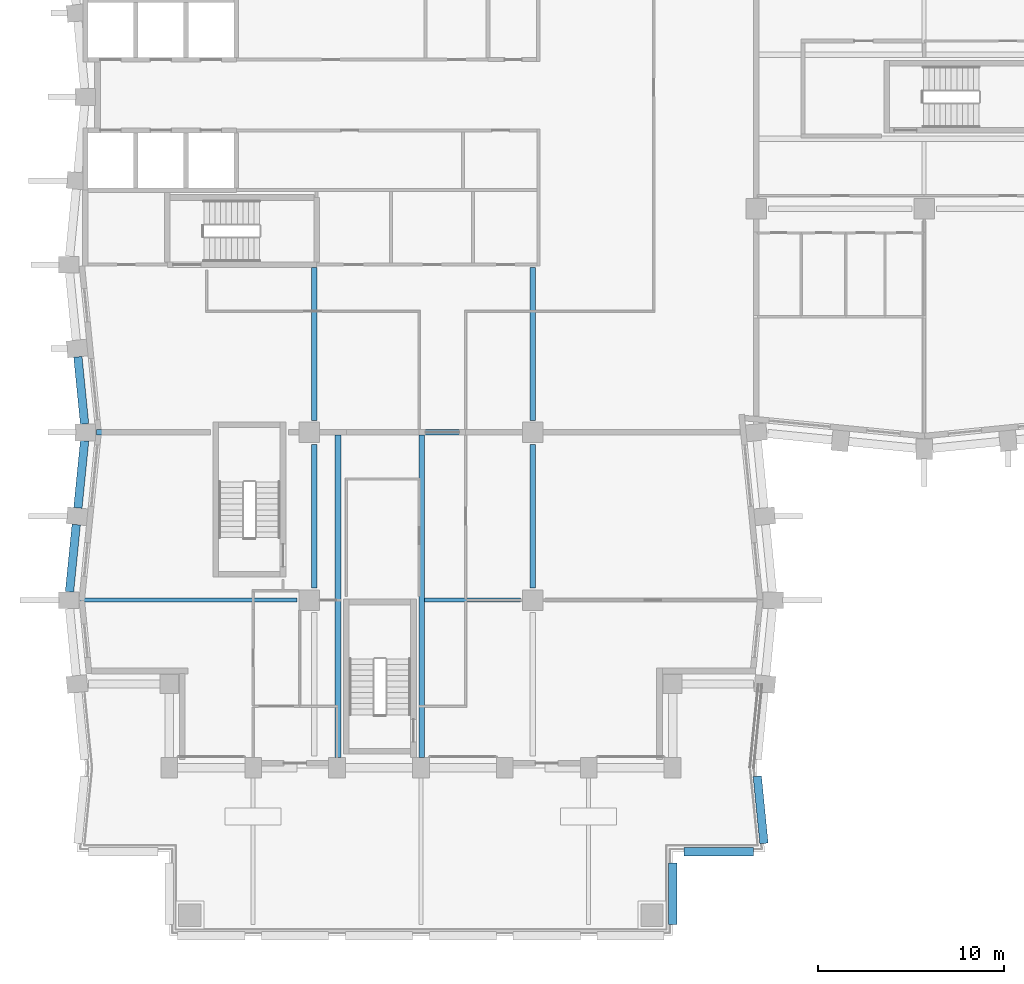
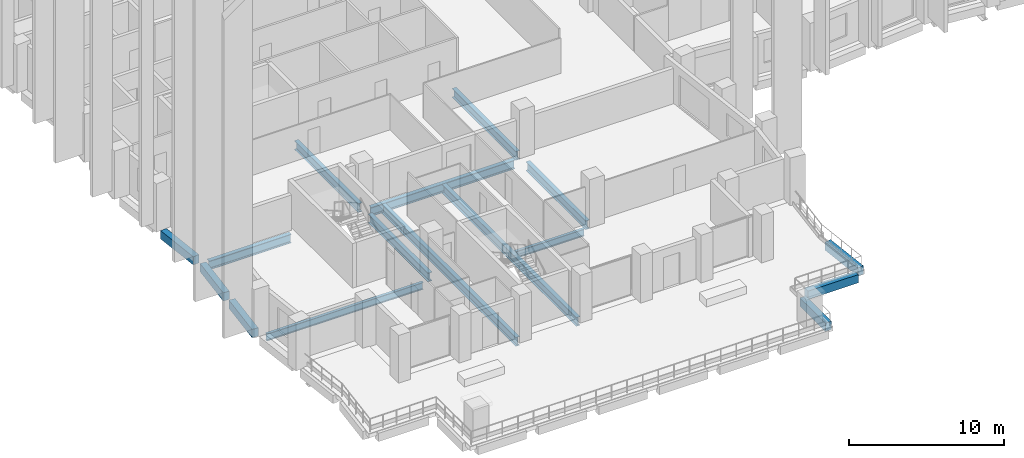
# One storey, part 4 of 18: 16 beams.
"""IFC4 building model written with IfcOpenShell, lengths in metres."""

from ifc_helpers import new_model, si_unit, direction, frame, origin, origin_2d, place, context, subcontext, project, spatial, rectangle, i_section, extrude, material, material_profile, profile_set, type_object, element, save


model = new_model("IFC4")

# Units and contexts
model_context = context("Model", 3, precision=1e-05, world=origin(), true_north=direction((0.0, 1.0)))
body_context = subcontext(model_context, "Body", "Model", "MODEL_VIEW")
ifc_project = project(units=[si_unit("LENGTHUNIT", "METRE"), si_unit("AREAUNIT", "SQUARE_METRE"), si_unit("VOLUMEUNIT", "CUBIC_METRE"), si_unit("PLANEANGLEUNIT", "RADIAN"), si_unit("MASSUNIT", "GRAM", prefix="KILO")], contexts=[model_context])

# Site, building, storey
site_placement = place(None, origin())
site = spatial("IfcSite", under=ifc_project, at=site_placement, CompositionType="ELEMENT")
building_placement = place(site_placement, origin())
building = spatial("IfcBuilding", under=site, at=building_placement, Name="Brondeck Convention Tower", CompositionType="ELEMENT")
storey_placement = place(building_placement, frame((0.0, 0.0, 143.39990234375)))
storey = spatial("IfcBuildingStorey", under=building, at=storey_placement, Name="L34", CompositionType="ELEMENT", Elevation=143.39990234375)

# Beams
ifc_material_1 = material(Name="Steel S355", Category="steel")
ifc_material_profile_1 = material_profile(ifc_material_1, i_section(OverallWidth=0.2099609375, OverallDepth=0.550048828125, WebThickness=0.010986328125, FlangeThickness=0.01708984375, FilletRadius=0.02392578125, at=origin_2d()), Name="IPE 550")
ifc_profile_set_1 = profile_set([ifc_material_profile_1], Name="Steel S355")
beam_type_1 = type_object("IfcBeamType", Name="Floor beam IPE 550", PredefinedType="BEAM", material=ifc_profile_set_1)
beam_1_placement = place(storey_placement, frame((-0.300048828125, 18.0, -0.574951171875), z_axis=(1.0, 0.0, 0.0), x_axis=(0.0, 1.0, 0.0)))
element("IfcBeam", 1, at=beam_1_placement, inside=storey, type_object=beam_type_1, Name="STR-FB-L34-006", PredefinedType="BEAM", context=body_context, shape_type="SweptSolid", body=[
    extrude(i_section(OverallWidth=0.2099609375, OverallDepth=0.550048828125, WebThickness=0.010986328125, FlangeThickness=0.01708984375, FilletRadius=0.02392578125, at=origin_2d()), origin(), (0.0, 0.0, 1.0), 11.650146484375),
])
beam_2_placement = place(storey_placement, frame((18.199951171875, 18.0, -0.574951171875), z_axis=(1.0, 0.0, 0.0), x_axis=(0.0, 1.0, 0.0)))
element("IfcBeam", 2, at=beam_2_placement, inside=storey, type_object=beam_type_1, Name="STR-FB-L34-010", PredefinedType="BEAM", context=body_context, shape_type="SweptSolid", body=[
    extrude(i_section(OverallWidth=0.2099609375, OverallDepth=0.550048828125, WebThickness=0.010986328125, FlangeThickness=0.01708984375, FilletRadius=0.02392578125, at=origin_2d()), origin(), (0.0, 0.0, 1.0), 5.150146484375),
])
ifc_material_profile_2 = material_profile(ifc_material_1, i_section(OverallWidth=0.300048828125, OverallDepth=0.699951171875, WebThickness=0.01708984375, FlangeThickness=0.031982421875, FilletRadius=0.027099609375, at=origin_2d()), Name="HEB 700")
ifc_profile_set_2 = profile_set([ifc_material_profile_2], Name="Steel S355")
beam_type_2 = type_object("IfcBeamType", Name="Girder HEB 700", PredefinedType="BEAM", material=ifc_profile_set_2)
beam_3_placement = place(storey_placement, frame((12.27001953125, 35.85009765625, -0.64990234375), z_axis=(0.0, -1.0, 0.0), x_axis=(1.0, 0.0, 0.0)))
element("IfcBeam", 3, at=beam_3_placement, inside=storey, type_object=beam_type_2, Name="STR-GR-L34-011", PredefinedType="BEAM", context=body_context, shape_type="SweptSolid", body=[
    extrude(i_section(OverallWidth=0.300048828125, OverallDepth=0.699951171875, WebThickness=0.01708984375, FlangeThickness=0.031982421875, FilletRadius=0.027099609375, at=origin_2d()), origin(), (0.0, 0.0, 1.0), 8.2001953125),
])
beam_4_placement = place(storey_placement, frame((12.27001953125, 26.35009765625, -0.64990234375), z_axis=(0.0, -1.0, 0.0), x_axis=(1.0, 0.0, 0.0)))
element("IfcBeam", 4, at=beam_4_placement, inside=storey, type_object=beam_type_2, Name="STR-GR-L34-012", PredefinedType="BEAM", context=body_context, shape_type="SweptSolid", body=[
    extrude(i_section(OverallWidth=0.300048828125, OverallDepth=0.699951171875, WebThickness=0.01708984375, FlangeThickness=0.031982421875, FilletRadius=0.027099609375, at=origin_2d()), origin(), (0.0, 0.0, 1.0), 7.7001953125),
])
beam_5_placement = place(storey_placement, frame((24.0, 35.85009765625, -0.64990234375), z_axis=(0.0, -1.0, 0.0), x_axis=(1.0, 0.0, 0.0)))
element("IfcBeam", 5, at=beam_5_placement, inside=storey, type_object=beam_type_2, Name="STR-GR-L34-014", PredefinedType="BEAM", context=body_context, shape_type="SweptSolid", body=[
    extrude(i_section(OverallWidth=0.300048828125, OverallDepth=0.699951171875, WebThickness=0.01708984375, FlangeThickness=0.031982421875, FilletRadius=0.027099609375, at=origin_2d()), origin(), (0.0, 0.0, 1.0), 8.2001953125),
])
beam_6_placement = place(storey_placement, frame((24.0, 26.35009765625, -0.64990234375), z_axis=(0.0, -1.0, 0.0), x_axis=(1.0, 0.0, 0.0)))
element("IfcBeam", 6, at=beam_6_placement, inside=storey, type_object=beam_type_2, Name="STR-GR-L34-015", PredefinedType="BEAM", context=body_context, shape_type="SweptSolid", body=[
    extrude(i_section(OverallWidth=0.300048828125, OverallDepth=0.699951171875, WebThickness=0.01708984375, FlangeThickness=0.031982421875, FilletRadius=0.027099609375, at=origin_2d()), origin(), (0.0, 0.0, 1.0), 7.7001953125),
])
beam_7_placement = place(storey_placement, frame((0.60009765625, 27.0, -0.64990234375), z_axis=(1.0, 0.0, 0.0), x_axis=(0.0, 1.0, 0.0)))
element("IfcBeam", 7, at=beam_7_placement, inside=storey, type_object=beam_type_2, Name="STR-GR-L34-017", PredefinedType="BEAM", context=body_context, shape_type="SweptSolid", body=[
    extrude(i_section(OverallWidth=0.300048828125, OverallDepth=0.699951171875, WebThickness=0.01708984375, FlangeThickness=0.031982421875, FilletRadius=0.027099609375, at=origin_2d()), origin(), (0.0, 0.0, 1.0), 6.099853515625),
])
beam_8_placement = place(storey_placement, frame((12.64990234375, 27.0, -0.64990234375), z_axis=(1.0, 0.0, 0.0), x_axis=(0.0, 1.0, 0.0)))
element("IfcBeam", 8, at=beam_8_placement, inside=storey, type_object=beam_type_2, Name="STR-GR-L34-018", PredefinedType="BEAM", context=body_context, shape_type="SweptSolid", body=[
    extrude(i_section(OverallWidth=0.300048828125, OverallDepth=0.699951171875, WebThickness=0.01708984375, FlangeThickness=0.031982421875, FilletRadius=0.027099609375, at=origin_2d()), origin(), (0.0, 0.0, 1.0), 10.7001953125),
])
for number, where, z_axis, x_axis, name in (
    (9, (13.550048828125, 9.550048828125, -0.64990234375), (0.0, 1.0, 0.0), (-1.0, 0.0, 0.0), "STR-GR-L34-022"),
    (10, (18.050048828125, 9.550048828125, -0.64990234375), (0.0, 1.0, 0.0), (-1.0, 0.0, 0.0), "STR-GR-L34-023"),
):
    element("IfcBeam", number, at=place(storey_placement, frame(where, z_axis=z_axis, x_axis=x_axis)), inside=storey, type_object=beam_type_2, Name=name, PredefinedType="BEAM", context=body_context, shape_type="SweptSolid", body=[
        extrude(i_section(OverallWidth=0.300048828125, OverallDepth=0.699951171875, WebThickness=0.01708984375, FlangeThickness=0.031982421875, FilletRadius=0.027099609375, at=origin_2d()), origin(), (0.0, 0.0, 1.0), 17.300048828125),
    ])
ifc_material_2 = material(Name="Concrete C70/85", Category="concrete")
ifc_material_profile_3 = material_profile(ifc_material_2, rectangle(XDim=0.449951171875, YDim=0.64990234375, at=origin_2d()), Name="Precast spandrel 450x650 Concrete C70/85")
ifc_profile_set_3 = profile_set([ifc_material_profile_3], Name="Concrete C70/85")
beam_type_3 = type_object("IfcBeamType", Name="Precast spandrel 450x650 Concrete C70/85", PredefinedType="SPANDREL", material=ifc_profile_set_3)
for number, where, z_axis, x_axis, name in (
    (11, (-0.4052734375, 31.05224609375, -0.324951171875), (0.099537103649, -0.995033851182, 0.0), (0.995033851182, 0.099537103649, 0.0), "STR-SP-L34-029"),
    (12, (-0.044921875, 26.550048828125, -0.324951171875), (-0.099537103649, -0.995033851182, 0.0), (0.995033851182, -0.099537103649, 0.0), "STR-SP-L34-030"),
    (13, (-0.494873046875, 22.05224609375, -0.324951171875), (-0.099470334057, -0.995040528141, 0.0), (0.995040528141, -0.099470334057, 0.0), "STR-SP-L34-031"),
    (14, (36.044921875, 8.550048828125, -0.324951171875), (0.099537103649, -0.995033851182, 0.0), (0.995033851182, 0.099537103649, 0.0), "STR-SP-L34T1-001"),
):
    element("IfcBeam", number, at=place(storey_placement, frame(where, z_axis=z_axis, x_axis=x_axis)), inside=storey, type_object=beam_type_3, Name=name, PredefinedType="SPANDREL", context=body_context, shape_type="SweptSolid", body=[
        extrude(rectangle(XDim=0.449951171875, YDim=0.64990234375, at=origin_2d()), origin(), (0.0, 0.0, 1.0), 3.620361328125),
    ])
beam_9_placement = place(storey_placement, frame((35.846923828125, 4.5, -0.324951171875), z_axis=(-1.0, 0.0, 0.0), x_axis=(0.0, -1.0, 0.0)))
element("IfcBeam", 15, at=beam_9_placement, inside=storey, type_object=beam_type_3, Name="STR-SP-L34T1-002", PredefinedType="SPANDREL", context=body_context, shape_type="SweptSolid", body=[
    extrude(rectangle(XDim=0.449951171875, YDim=0.64990234375, at=origin_2d()), origin(), (0.0, 0.0, 1.0), 3.746826171875),
])
beam_10_placement = place(storey_placement, frame((31.5, 3.89990234375, -0.324951171875), z_axis=(0.0, -1.0, 0.0), x_axis=(1.0, 0.0, 0.0)))
element("IfcBeam", 16, at=beam_10_placement, inside=storey, type_object=beam_type_3, Name="STR-SP-L34T1-003", PredefinedType="SPANDREL", context=body_context, shape_type="SweptSolid", body=[
    extrude(rectangle(XDim=0.449951171875, YDim=0.64990234375, at=origin_2d()), origin(), (0.0, 0.0, 1.0), 3.2998046875),
])

save(model, "model.ifc")
